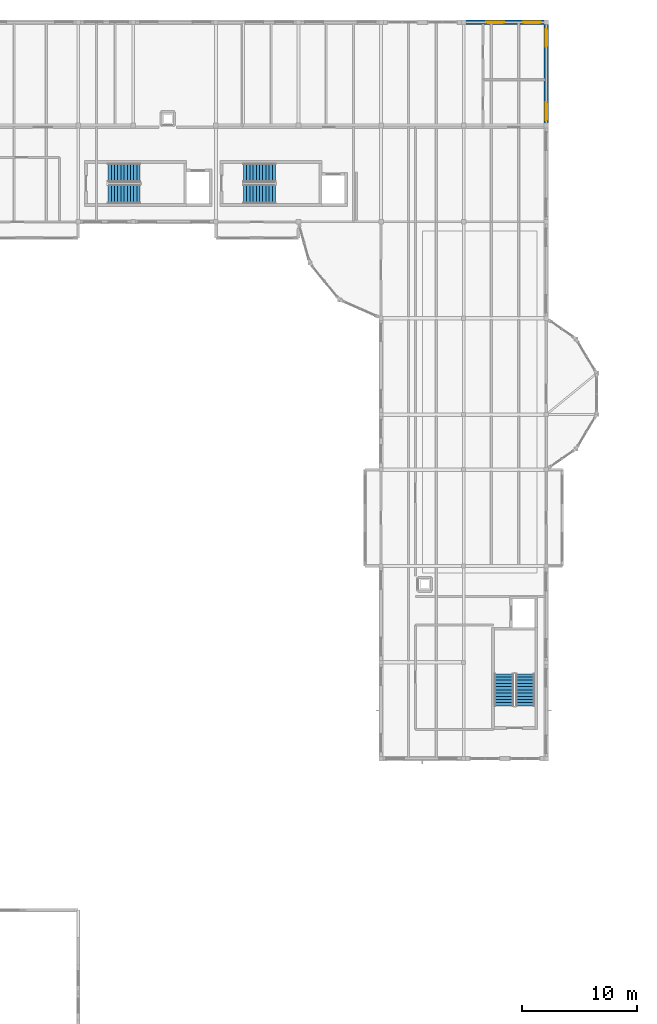
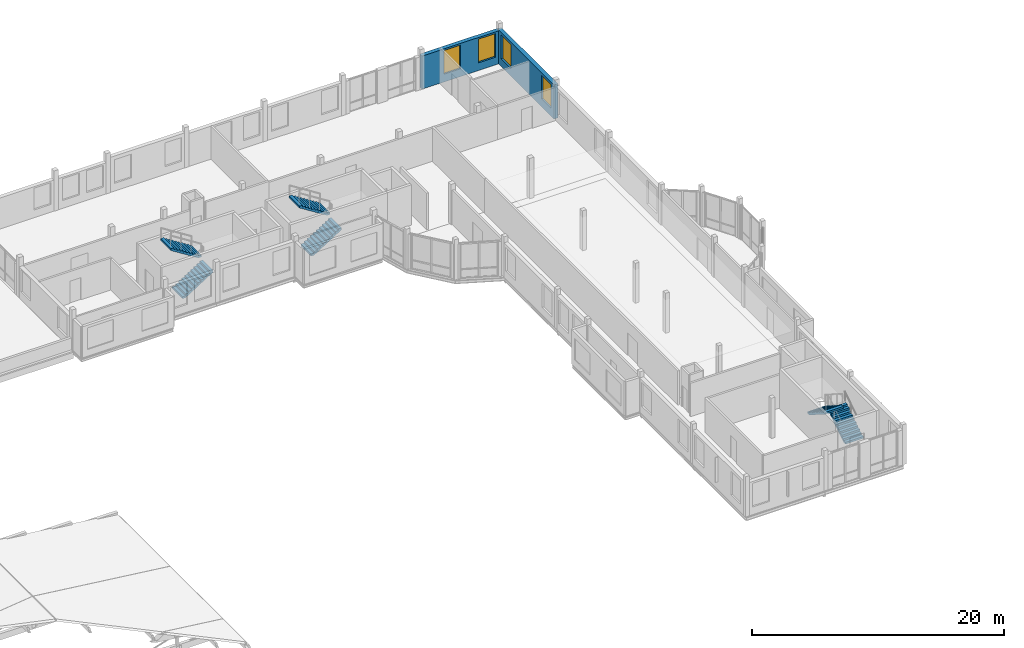
# One storey, part 30 of 34: 6 stair flights, 4 windows, 2 walls, 4 openings, 3 elements without a shape of their own.
"""IFC4 building model written with IfcOpenShell, lengths in metres."""

from ifc_helpers import new_model, si_unit, direction, frame, frame_2d, origin, place, context, subcontext, project, spatial, polyline, rectangle, outline, extrude, material, layer, layer_set, type_object, element, fill, aggregate, save


model = new_model("IFC4")

# Units and contexts
model_context = context("Model", 3, precision=1e-05, world=origin(), true_north=direction((0.0, 1.0)))
body_context = subcontext(model_context, "Body", "Model", "MODEL_VIEW")
ifc_project = project(units=[si_unit("LENGTHUNIT", "METRE"), si_unit("AREAUNIT", "SQUARE_METRE"), si_unit("VOLUMEUNIT", "CUBIC_METRE"), si_unit("PLANEANGLEUNIT", "RADIAN"), si_unit("MASSUNIT", "GRAM", prefix="KILO")], contexts=[model_context])

# Site, building, storey
site_placement = place(None, origin())
site = spatial("IfcSite", under=ifc_project, at=site_placement, CompositionType="ELEMENT")
building_placement = place(site_placement, origin())
building = spatial("IfcBuilding", under=site, at=building_placement, Name="Kahlenmark Community Centre", CompositionType="ELEMENT")
storey_placement = place(building_placement, frame((0.0, 0.0, 17.699951171875)))
storey = spatial("IfcBuildingStorey", under=building, at=storey_placement, Name="L04", CompositionType="ELEMENT", Elevation=17.699951171875)

# Wall, openings, windows
ifc_material_1 = material(Name="Danube limestone masonry", Category="masonry")
ifc_layer = layer(ifc_material_1, 0.360107421875)
ifc_layer_set = layer_set([ifc_layer], Name="Danube limestone masonry")
wall_type = type_object("IfcWallType", Name="WT-EW-360", PredefinedType="SOLIDWALL", material=ifc_layer_set)
wall_1_placement = place(storey_placement, frame((86.800048828125, 115.0, 0.0), z_axis=(0.0, 0.0, 1.0), x_axis=(-1.0, 0.0, 0.0)))
wall_1 = element("IfcWall", 1, at=wall_1_placement, inside=storey, type_object=wall_type, Name="Exterior wall WL-EXT-L04-0649", PredefinedType="SOLIDWALL", context=body_context, shape_type="SweptSolid", body=[
    extrude(rectangle(XDim=7.199951171875, YDim=0.360107421875, at=frame_2d((3.60009765625, 0.0))), origin(), (0.0, 0.0, 1.0), 3.2099609375),
])
opening_1_placement = place(wall_1_placement, frame((0.4599609375, 0.0, 0.75)))
opening_1 = element("IfcOpeningElement", 2, at=opening_1_placement, cuts=wall_1, Name="Opening W-155X230", PredefinedType="OPENING", context=body_context, shape_type="SweptSolid", body=[
    extrude(rectangle(XDim=1.550048828125, YDim=2.300048828125, at=frame_2d((0.77490234375, 1.14990234375))), frame((0.0, 0.18994140625, 0.0), z_axis=(0.0, -1.0, 0.0), x_axis=(1.0, 0.0, 0.0)), (0.0, 0.0, 1.0), 0.380126953125),
])
opening_2_placement = place(wall_1_placement, frame((3.659912109375, 0.0, 0.75)))
opening_2 = element("IfcOpeningElement", 3, at=opening_2_placement, cuts=wall_1, Name="Opening W-155X230", PredefinedType="OPENING", context=body_context, shape_type="SweptSolid", body=[
    extrude(rectangle(XDim=1.550048828125, YDim=2.300048828125, at=frame_2d((0.77490234375, 1.14990234375))), frame((0.0, 0.18994140625, 0.0), z_axis=(0.0, -1.0, 0.0), x_axis=(1.0, 0.0, 0.0)), (0.0, 0.0, 1.0), 0.380126953125),
])
ifc_material_2 = material(Name="Deep-reveal limestone punched triple glazing", Category="masonry")
window_type = type_object("IfcWindowType", Name="WNT-155X230", PartitioningType="DOUBLE_PANEL_HORIZONTAL", PredefinedType="WINDOW", material=ifc_material_2)
window_1_placement = place(opening_1_placement, origin())
window_1 = element("IfcWindow", 4, at=window_1_placement, inside=storey, type_object=window_type, Name="Window W-155X230 #0423", OverallHeight=2.300048828125, OverallWidth=1.550048828125, PartitioningType="DOUBLE_PANEL_HORIZONTAL", PredefinedType="WINDOW", context=body_context, shape_type="SweptSolid", body=[
    extrude(rectangle(XDim=1.550048828125, YDim=2.300048828125, at=frame_2d((0.77490234375, 1.14990234375))), frame((0.0, 0.030029296875, 0.0), z_axis=(0.0, -1.0, 0.0), x_axis=(1.0, 0.0, 0.0)), (0.0, 0.0, 1.0), 0.06005859375),
])
fill(opening_1, window_1)
window_2_placement = place(opening_2_placement, origin())
window_2 = element("IfcWindow", 5, at=window_2_placement, inside=storey, type_object=window_type, Name="Window W-155X230 #0424", OverallHeight=2.300048828125, OverallWidth=1.550048828125, PartitioningType="DOUBLE_PANEL_HORIZONTAL", PredefinedType="WINDOW", context=body_context, shape_type="SweptSolid", body=[
    extrude(rectangle(XDim=1.550048828125, YDim=2.300048828125, at=frame_2d((0.77490234375, 1.14990234375))), frame((0.0, 0.030029296875, 0.0), z_axis=(0.0, -1.0, 0.0), x_axis=(1.0, 0.0, 0.0)), (0.0, 0.0, 1.0), 0.06005859375),
])
fill(opening_2, window_2)

wall_2_placement = place(storey_placement, frame((86.800048828125, 106.0, 0.0), z_axis=(0.0, 0.0, 1.0), x_axis=(0.0, 1.0, 0.0)))
wall_2 = element("IfcWall", 6, at=wall_2_placement, inside=storey, type_object=wall_type, Name="Exterior wall WL-EXT-L04-0655", PredefinedType="SOLIDWALL", context=body_context, shape_type="SweptSolid", body=[
    extrude(rectangle(XDim=9.0, YDim=0.360107421875, at=frame_2d((4.5, 0.0))), origin(), (0.0, 0.0, 1.0), 3.300048828125),
])
opening_3_placement = place(wall_2_placement, frame((0.4599609375, 0.0, 0.75)))
opening_3 = element("IfcOpeningElement", 7, at=opening_3_placement, cuts=wall_2, Name="Opening W-155X230", PredefinedType="OPENING", context=body_context, shape_type="SweptSolid", body=[
    extrude(rectangle(XDim=1.550048828125, YDim=2.300048828125, at=frame_2d((0.77490234375, 1.14990234375))), frame((0.0, 0.18994140625, 0.0), z_axis=(0.0, -1.0, 0.0), x_axis=(1.0, 0.0, 0.0)), (0.0, 0.0, 1.0), 0.380126953125),
])
opening_4_placement = place(wall_2_placement, frame((6.860107421875, 0.0, 0.75)))
opening_4 = element("IfcOpeningElement", 8, at=opening_4_placement, cuts=wall_2, Name="Opening W-155X230", PredefinedType="OPENING", context=body_context, shape_type="SweptSolid", body=[
    extrude(rectangle(XDim=1.550048828125, YDim=2.300048828125, at=frame_2d((0.77490234375, 1.14990234375))), frame((0.0, 0.18994140625, 0.0), z_axis=(0.0, -1.0, 0.0), x_axis=(1.0, 0.0, 0.0)), (0.0, 0.0, 1.0), 0.380126953125),
])
window_3_placement = place(opening_3_placement, origin())
window_3 = element("IfcWindow", 9, at=window_3_placement, inside=storey, type_object=window_type, Name="Window W-155X230 #0429", OverallHeight=2.300048828125, OverallWidth=1.550048828125, PartitioningType="DOUBLE_PANEL_HORIZONTAL", PredefinedType="WINDOW", context=body_context, shape_type="SweptSolid", body=[
    extrude(rectangle(XDim=1.550048828125, YDim=2.300048828125, at=frame_2d((0.77490234375, 1.14990234375))), frame((0.0, 0.030029296875, 0.0), z_axis=(0.0, -1.0, 0.0), x_axis=(1.0, 0.0, 0.0)), (0.0, 0.0, 1.0), 0.06005859375),
])
fill(opening_3, window_3)
window_4_placement = place(opening_4_placement, origin())
window_4 = element("IfcWindow", 10, at=window_4_placement, inside=storey, type_object=window_type, Name="Window W-155X230 #0430", OverallHeight=2.300048828125, OverallWidth=1.550048828125, PartitioningType="DOUBLE_PANEL_HORIZONTAL", PredefinedType="WINDOW", context=body_context, shape_type="SweptSolid", body=[
    extrude(rectangle(XDim=1.550048828125, YDim=2.300048828125, at=frame_2d((0.77490234375, 1.14990234375))), frame((0.0, 0.030029296875, 0.0), z_axis=(0.0, -1.0, 0.0), x_axis=(1.0, 0.0, 0.0)), (0.0, 0.0, 1.0), 0.06005859375),
])
fill(opening_4, window_4)

# Stair, stair flights
ifc_material_3 = material(Name="Concrete C35/45", Category="concrete")
stair_type_1 = type_object("IfcStairType", Name="STT-CORE-ST-04-177", PredefinedType="HALF_TURN_STAIR", material=ifc_material_3)
stair_1_placement = place(storey_placement, origin())
stair_1 = element("IfcStair", 11, at=stair_1_placement, inside=storey, type_object=stair_type_1, Name="L04 Core K4 Escape Stair ST-04", PredefinedType="HALF_TURN_STAIR")
stair_flight_type_1 = type_object("IfcStairFlightType", Name="SFT-CORE-ST-04-177", PredefinedType="STRAIGHT", material=ifc_material_3)
stair_flight_1_placement = place(storey_placement, frame((48.60009765625, 100.02490234375, 0.0), z_axis=(0.0, 0.0, 1.0), x_axis=(1.0, 0.0, 0.0)))
stair_flight_1 = element("IfcStairFlight", 12, at=stair_flight_1_placement, type_object=stair_flight_type_1, Name="ST-04 flight 1", NumberOfRisers=11, NumberOfTreads=10, PredefinedType="STRAIGHT", RiserHeight=0.177272727, TreadLength=0.28, context=body_context, shape_type="SweptSolid", body=[
    extrude(outline(polyline([(0.0, 0.0), (0.0, 0.17724609375), (0.280029296875, 0.17724609375), (0.280029296875, 0.3544921875), (0.56005859375, 0.3544921875), (0.56005859375, 0.53173828125), (0.840087890625, 0.53173828125), (0.840087890625, 0.708984375), (1.1201171875, 0.708984375), (1.1201171875, 0.886474609375), (1.39990234375, 0.886474609375), (1.39990234375, 1.063720703125), (1.679931640625, 1.063720703125), (1.679931640625, 1.240966796875), (1.9599609375, 1.240966796875), (1.9599609375, 1.418212890625), (2.239990234375, 1.418212890625), (2.239990234375, 1.595458984375), (2.52001953125, 1.595458984375), (2.52001953125, 1.772705078125), (2.800048828125, 1.772705078125), (2.800048828125, 1.949951171875), (2.800048828125, 1.59521484375), (0.2802734375, 0.0), (0.0, 0.0)])), frame((0.0, 0.824951171875, 0.0), z_axis=(0.0, -1.0, 0.0), x_axis=(1.0, 0.0, 0.0)), (0.0, 0.0, 1.0), 1.64990234375),
])
stair_flight_2_placement = place(storey_placement, frame((51.39990234375, 101.875, 1.949951171875), z_axis=(0.0, 0.0, 1.0), x_axis=(-1.0, 0.0, 0.0)))
stair_flight_2 = element("IfcStairFlight", 13, at=stair_flight_2_placement, type_object=stair_flight_type_1, Name="ST-04 flight 2", NumberOfRisers=11, NumberOfTreads=10, PredefinedType="STRAIGHT", RiserHeight=0.177272727, TreadLength=0.28, context=body_context, shape_type="SweptSolid", body=[
    extrude(outline(polyline([(0.0, 0.0), (0.0, 0.17724609375), (0.280029296875, 0.17724609375), (0.280029296875, 0.3544921875), (0.56005859375, 0.3544921875), (0.56005859375, 0.53173828125), (0.840087890625, 0.53173828125), (0.840087890625, 0.708984375), (1.1201171875, 0.708984375), (1.1201171875, 0.886474609375), (1.39990234375, 0.886474609375), (1.39990234375, 1.063720703125), (1.679931640625, 1.063720703125), (1.679931640625, 1.240966796875), (1.9599609375, 1.240966796875), (1.9599609375, 1.418212890625), (2.239990234375, 1.418212890625), (2.239990234375, 1.595458984375), (2.52001953125, 1.595458984375), (2.52001953125, 1.772705078125), (2.800048828125, 1.772705078125), (2.800048828125, 1.949951171875), (2.800048828125, 1.59521484375), (0.2802734375, 0.0), (0.0, 0.0)])), frame((0.0, 0.824951171875, 0.0), z_axis=(0.0, -1.0, 0.0), x_axis=(1.0, 0.0, 0.0)), (0.0, 0.0, 1.0), 1.64990234375),
])
aggregate(stair_1, [stair_flight_1, stair_flight_2])

stair_type_2 = type_object("IfcStairType", Name="STT-CORE-ST-05-177", PredefinedType="HALF_TURN_STAIR", material=ifc_material_3)
stair_2_placement = place(storey_placement, origin())
stair_2 = element("IfcStair", 14, at=stair_2_placement, inside=storey, type_object=stair_type_2, Name="L04 Core K5 Escape Stair ST-05", PredefinedType="HALF_TURN_STAIR")
stair_flight_type_2 = type_object("IfcStairFlightType", Name="SFT-CORE-ST-05-177", PredefinedType="STRAIGHT", material=ifc_material_3)
stair_flight_3_placement = place(storey_placement, frame((60.39990234375, 100.02490234375, 0.0), z_axis=(0.0, 0.0, 1.0), x_axis=(1.0, 0.0, 0.0)))
stair_flight_3 = element("IfcStairFlight", 15, at=stair_flight_3_placement, type_object=stair_flight_type_2, Name="ST-05 flight 1", NumberOfRisers=11, NumberOfTreads=10, PredefinedType="STRAIGHT", RiserHeight=0.177272727, TreadLength=0.28, context=body_context, shape_type="SweptSolid", body=[
    extrude(outline(polyline([(0.0, 0.0), (0.0, 0.17724609375), (0.280029296875, 0.17724609375), (0.280029296875, 0.3544921875), (0.56005859375, 0.3544921875), (0.56005859375, 0.53173828125), (0.840087890625, 0.53173828125), (0.840087890625, 0.708984375), (1.1201171875, 0.708984375), (1.1201171875, 0.886474609375), (1.39990234375, 0.886474609375), (1.39990234375, 1.063720703125), (1.679931640625, 1.063720703125), (1.679931640625, 1.240966796875), (1.9599609375, 1.240966796875), (1.9599609375, 1.418212890625), (2.239990234375, 1.418212890625), (2.239990234375, 1.595458984375), (2.52001953125, 1.595458984375), (2.52001953125, 1.772705078125), (2.800048828125, 1.772705078125), (2.800048828125, 1.949951171875), (2.800048828125, 1.59521484375), (0.2802734375, 0.0), (0.0, 0.0)])), frame((0.0, 0.824951171875, 0.0), z_axis=(0.0, -1.0, 0.0), x_axis=(1.0, 0.0, 0.0)), (0.0, 0.0, 1.0), 1.64990234375),
])
stair_flight_4_placement = place(storey_placement, frame((63.199951171875, 101.875, 1.949951171875), z_axis=(0.0, 0.0, 1.0), x_axis=(-1.0, 0.0, 0.0)))
stair_flight_4 = element("IfcStairFlight", 16, at=stair_flight_4_placement, type_object=stair_flight_type_2, Name="ST-05 flight 2", NumberOfRisers=11, NumberOfTreads=10, PredefinedType="STRAIGHT", RiserHeight=0.177272727, TreadLength=0.28, context=body_context, shape_type="SweptSolid", body=[
    extrude(outline(polyline([(0.0, 0.0), (0.0, 0.17724609375), (0.280029296875, 0.17724609375), (0.280029296875, 0.3544921875), (0.56005859375, 0.3544921875), (0.56005859375, 0.53173828125), (0.840087890625, 0.53173828125), (0.840087890625, 0.708984375), (1.1201171875, 0.708984375), (1.1201171875, 0.886474609375), (1.39990234375, 0.886474609375), (1.39990234375, 1.063720703125), (1.679931640625, 1.063720703125), (1.679931640625, 1.240966796875), (1.9599609375, 1.240966796875), (1.9599609375, 1.418212890625), (2.239990234375, 1.418212890625), (2.239990234375, 1.595458984375), (2.52001953125, 1.595458984375), (2.52001953125, 1.772705078125), (2.800048828125, 1.772705078125), (2.800048828125, 1.949951171875), (2.800048828125, 1.59521484375), (0.2802734375, 0.0), (0.0, 0.0)])), frame((0.0, 0.824951171875, 0.0), z_axis=(0.0, -1.0, 0.0), x_axis=(1.0, 0.0, 0.0)), (0.0, 0.0, 1.0), 1.64990234375),
])
aggregate(stair_2, [stair_flight_3, stair_flight_4])

stair_type_3 = type_object("IfcStairType", Name="STT-CORE-ST-06-177", PredefinedType="HALF_TURN_STAIR", material=ifc_material_3)
stair_3_placement = place(storey_placement, origin())
stair_3 = element("IfcStair", 17, at=stair_3_placement, inside=storey, type_object=stair_type_3, Name="L04 Core K6 Escape Stair ST-06", PredefinedType="HALF_TURN_STAIR")
stair_flight_type_3 = type_object("IfcStairFlightType", Name="SFT-CORE-ST-06-177", PredefinedType="STRAIGHT", material=ifc_material_3)
stair_flight_5_placement = place(storey_placement, frame((84.97509765625, 55.39990234375, 0.0), z_axis=(0.0, 0.0, 1.0), x_axis=(0.0, 1.0, 0.0)))
stair_flight_5 = element("IfcStairFlight", 18, at=stair_flight_5_placement, type_object=stair_flight_type_3, Name="ST-06 flight 1", NumberOfRisers=11, NumberOfTreads=10, PredefinedType="STRAIGHT", RiserHeight=0.177272727, TreadLength=0.28, context=body_context, shape_type="SweptSolid", body=[
    extrude(outline(polyline([(0.0, 0.0), (0.0, 0.17724609375), (0.280029296875, 0.17724609375), (0.280029296875, 0.3544921875), (0.56005859375, 0.3544921875), (0.56005859375, 0.53173828125), (0.840087890625, 0.53173828125), (0.840087890625, 0.708984375), (1.1201171875, 0.708984375), (1.1201171875, 0.886474609375), (1.39990234375, 0.886474609375), (1.39990234375, 1.063720703125), (1.679931640625, 1.063720703125), (1.679931640625, 1.240966796875), (1.9599609375, 1.240966796875), (1.9599609375, 1.418212890625), (2.239990234375, 1.418212890625), (2.239990234375, 1.595458984375), (2.52001953125, 1.595458984375), (2.52001953125, 1.772705078125), (2.800048828125, 1.772705078125), (2.800048828125, 1.949951171875), (2.800048828125, 1.59521484375), (0.2802734375, 0.0), (0.0, 0.0)])), frame((0.0, 0.824951171875, 0.0), z_axis=(0.0, -1.0, 0.0), x_axis=(1.0, 0.0, 0.0)), (0.0, 0.0, 1.0), 1.64990234375),
])
stair_flight_6_placement = place(storey_placement, frame((83.125, 58.199951171875, 1.949951171875), z_axis=(0.0, 0.0, 1.0), x_axis=(0.0, -1.0, 0.0)))
stair_flight_6 = element("IfcStairFlight", 19, at=stair_flight_6_placement, type_object=stair_flight_type_3, Name="ST-06 flight 2", NumberOfRisers=11, NumberOfTreads=10, PredefinedType="STRAIGHT", RiserHeight=0.177272727, TreadLength=0.28, context=body_context, shape_type="SweptSolid", body=[
    extrude(outline(polyline([(0.0, 0.0), (0.0, 0.17724609375), (0.280029296875, 0.17724609375), (0.280029296875, 0.3544921875), (0.56005859375, 0.3544921875), (0.56005859375, 0.53173828125), (0.840087890625, 0.53173828125), (0.840087890625, 0.708984375), (1.1201171875, 0.708984375), (1.1201171875, 0.886474609375), (1.39990234375, 0.886474609375), (1.39990234375, 1.063720703125), (1.679931640625, 1.063720703125), (1.679931640625, 1.240966796875), (1.9599609375, 1.240966796875), (1.9599609375, 1.418212890625), (2.239990234375, 1.418212890625), (2.239990234375, 1.595458984375), (2.52001953125, 1.595458984375), (2.52001953125, 1.772705078125), (2.800048828125, 1.772705078125), (2.800048828125, 1.949951171875), (2.800048828125, 1.59521484375), (0.2802734375, 0.0), (0.0, 0.0)])), frame((0.0, 0.824951171875, 0.0), z_axis=(0.0, -1.0, 0.0), x_axis=(1.0, 0.0, 0.0)), (0.0, 0.0, 1.0), 1.64990234375),
])
aggregate(stair_3, [stair_flight_5, stair_flight_6])

save(model, "model.ifc")
